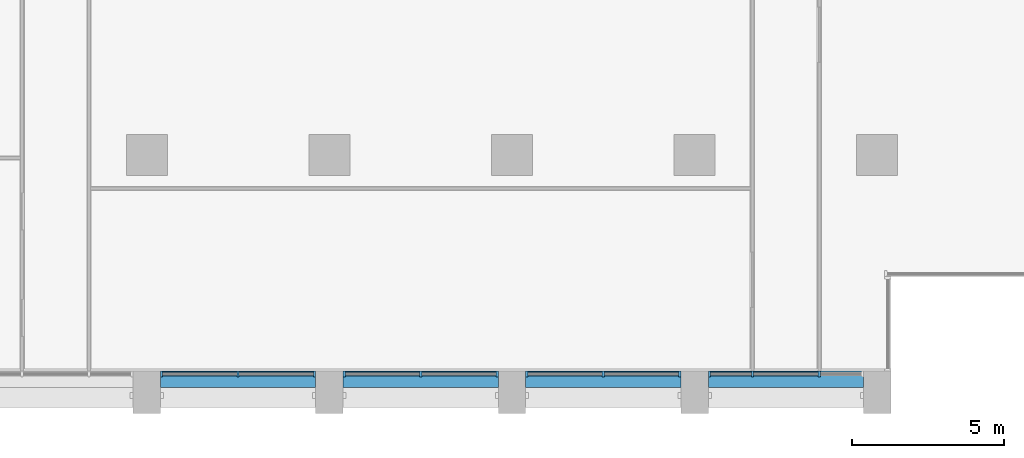
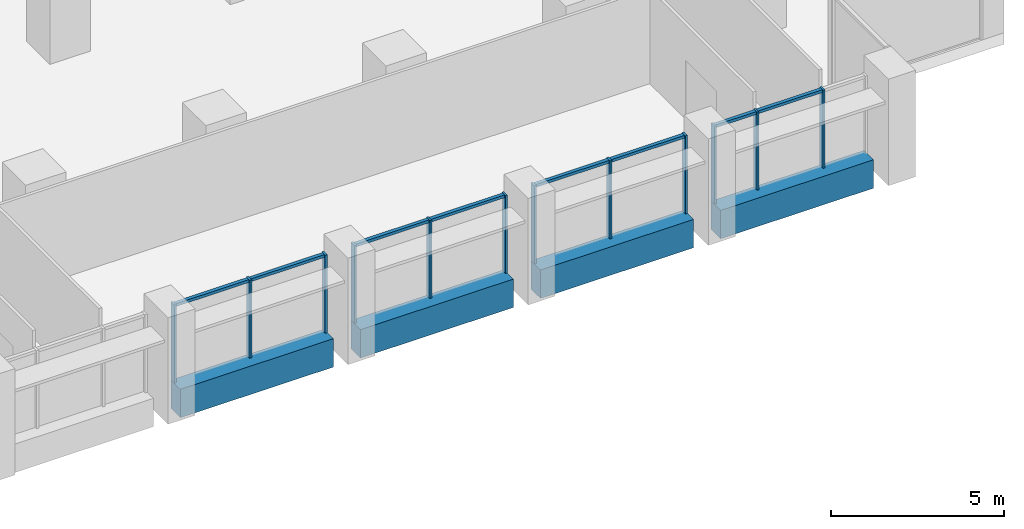
# One storey, part 3 of 15: 20 members, 4 beams, 4 elements without a shape of their own.
"""IFC4 building model written with IfcOpenShell, lengths in metres."""

from ifc_helpers import new_model, si_unit, direction, frame, origin, origin_2d, place, context, subcontext, project, spatial, rectangle, extrude, material, material_profile, profile_set, type_object, element, aggregate, save


model = new_model("IFC4")

# Units and contexts
model_context = context("Model", 3, precision=1e-05, world=origin(), true_north=direction((0.0, 1.0)))
body_context = subcontext(model_context, "Body", "Model", "MODEL_VIEW")
ifc_project = project(units=[si_unit("LENGTHUNIT", "METRE"), si_unit("AREAUNIT", "SQUARE_METRE"), si_unit("VOLUMEUNIT", "CUBIC_METRE"), si_unit("PLANEANGLEUNIT", "RADIAN"), si_unit("MASSUNIT", "GRAM", prefix="KILO")], contexts=[model_context])

# Site, building, storey
site_placement = place(None, origin())
site = spatial("IfcSite", under=ifc_project, at=site_placement, CompositionType="ELEMENT")
building_placement = place(site_placement, origin())
building = spatial("IfcBuilding", under=site, at=building_placement, Name="Calvaro Tower", CompositionType="ELEMENT")
storey_placement = place(building_placement, frame((0.0, 0.0, 113.75)))
storey = spatial("IfcBuildingStorey", under=building, at=storey_placement, Name="L28", CompositionType="ELEMENT", Elevation=113.75)

# Curtain wall, members
ifc_material_1 = material(Name="Anodised aluminium", Category="aluminium")
curtain_wall_type = type_object("IfcCurtainWallType", Name="Office curtain wall, middle zone", PredefinedType="NOTDEFINED", material=ifc_material_1)
curtain_wall_1_placement = place(storey_placement, origin())
curtain_wall_1 = element("IfcCurtainWall", 1, at=curtain_wall_1_placement, inside=storey, type_object=curtain_wall_type, Name="CW2 south curtain wall", PredefinedType="NOTDEFINED")
ifc_material_2 = material(Name="Anodised aluminium", Category="aluminium")
ifc_material_profile_1 = material_profile(ifc_material_2, rectangle(XDim=0.199951171875, YDim=0.070068359375, at=origin_2d()), Name="Mullion S2 70 x 200")
ifc_profile_set_1 = profile_set([ifc_material_profile_1], Name="Anodised aluminium")
member_type_1 = type_object("IfcMemberType", Name="Mullion S2 70 x 200", PredefinedType="MULLION", material=ifc_profile_set_1)
member_1_placement = place(storey_placement, frame((42.485107421875, 2.800048828125, 0.0), z_axis=(0.0, 0.0, 1.0), x_axis=(0.0, 1.0, 0.0)))
member_1 = element("IfcMember", 2, at=member_1_placement, type_object=member_type_1, Name="CW2 mullion 1", PredefinedType="MULLION", context=body_context, shape_type="SweptSolid", body=[
    extrude(rectangle(XDim=0.199951171875, YDim=0.070068359375, at=origin_2d()), origin(), (0.0, 0.0, 1.0), 2.75),
])
member_2_placement = place(storey_placement, frame((45.0, 2.800048828125, 0.0), z_axis=(0.0, 0.0, 1.0), x_axis=(0.0, 1.0, 0.0)))
member_2 = element("IfcMember", 3, at=member_2_placement, type_object=member_type_1, Name="CW2 mullion 2", PredefinedType="MULLION", context=body_context, shape_type="SweptSolid", body=[
    extrude(rectangle(XDim=0.199951171875, YDim=0.070068359375, at=origin_2d()), origin(), (0.0, 0.0, 1.0), 2.75),
])
member_3_placement = place(storey_placement, frame((47.514892578125, 2.800048828125, 0.0), z_axis=(0.0, 0.0, 1.0), x_axis=(0.0, 1.0, 0.0)))
member_3 = element("IfcMember", 4, at=member_3_placement, type_object=member_type_1, Name="CW2 mullion 3", PredefinedType="MULLION", context=body_context, shape_type="SweptSolid", body=[
    extrude(rectangle(XDim=0.199951171875, YDim=0.070068359375, at=origin_2d()), origin(), (0.0, 0.0, 1.0), 2.75),
])

curtain_wall_2_placement = place(storey_placement, origin())
curtain_wall_2 = element("IfcCurtainWall", 5, at=curtain_wall_2_placement, inside=storey, type_object=curtain_wall_type, Name="CW2 south curtain wall", PredefinedType="NOTDEFINED")
member_4_placement = place(storey_placement, frame((48.485107421875, 2.800048828125, 0.0), z_axis=(0.0, 0.0, 1.0), x_axis=(0.0, 1.0, 0.0)))
member_4 = element("IfcMember", 6, at=member_4_placement, type_object=member_type_1, Name="CW2 mullion 1", PredefinedType="MULLION", context=body_context, shape_type="SweptSolid", body=[
    extrude(rectangle(XDim=0.199951171875, YDim=0.070068359375, at=origin_2d()), origin(), (0.0, 0.0, 1.0), 2.75),
])
member_5_placement = place(storey_placement, frame((51.0, 2.800048828125, 0.0), z_axis=(0.0, 0.0, 1.0), x_axis=(0.0, 1.0, 0.0)))
member_5 = element("IfcMember", 7, at=member_5_placement, type_object=member_type_1, Name="CW2 mullion 2", PredefinedType="MULLION", context=body_context, shape_type="SweptSolid", body=[
    extrude(rectangle(XDim=0.199951171875, YDim=0.070068359375, at=origin_2d()), origin(), (0.0, 0.0, 1.0), 2.75),
])
member_6_placement = place(storey_placement, frame((53.514892578125, 2.800048828125, 0.0), z_axis=(0.0, 0.0, 1.0), x_axis=(0.0, 1.0, 0.0)))
member_6 = element("IfcMember", 8, at=member_6_placement, type_object=member_type_1, Name="CW2 mullion 3", PredefinedType="MULLION", context=body_context, shape_type="SweptSolid", body=[
    extrude(rectangle(XDim=0.199951171875, YDim=0.070068359375, at=origin_2d()), origin(), (0.0, 0.0, 1.0), 2.75),
])

curtain_wall_3_placement = place(storey_placement, origin())
curtain_wall_3 = element("IfcCurtainWall", 9, at=curtain_wall_3_placement, inside=storey, type_object=curtain_wall_type, Name="CW2 south curtain wall", PredefinedType="NOTDEFINED")
member_7_placement = place(storey_placement, frame((54.485107421875, 2.800048828125, 0.0), z_axis=(0.0, 0.0, 1.0), x_axis=(0.0, 1.0, 0.0)))
member_7 = element("IfcMember", 10, at=member_7_placement, type_object=member_type_1, Name="CW2 mullion 1", PredefinedType="MULLION", context=body_context, shape_type="SweptSolid", body=[
    extrude(rectangle(XDim=0.199951171875, YDim=0.070068359375, at=origin_2d()), origin(), (0.0, 0.0, 1.0), 2.75),
])
member_8_placement = place(storey_placement, frame((57.0, 2.800048828125, 0.0), z_axis=(0.0, 0.0, 1.0), x_axis=(0.0, 1.0, 0.0)))
member_8 = element("IfcMember", 11, at=member_8_placement, type_object=member_type_1, Name="CW2 mullion 2", PredefinedType="MULLION", context=body_context, shape_type="SweptSolid", body=[
    extrude(rectangle(XDim=0.199951171875, YDim=0.070068359375, at=origin_2d()), origin(), (0.0, 0.0, 1.0), 2.75),
])
member_9_placement = place(storey_placement, frame((59.514892578125, 2.800048828125, 0.0), z_axis=(0.0, 0.0, 1.0), x_axis=(0.0, 1.0, 0.0)))
member_9 = element("IfcMember", 12, at=member_9_placement, type_object=member_type_1, Name="CW2 mullion 3", PredefinedType="MULLION", context=body_context, shape_type="SweptSolid", body=[
    extrude(rectangle(XDim=0.199951171875, YDim=0.070068359375, at=origin_2d()), origin(), (0.0, 0.0, 1.0), 2.75),
])

curtain_wall_4_placement = place(storey_placement, origin())
curtain_wall_4 = element("IfcCurtainWall", 13, at=curtain_wall_4_placement, inside=storey, type_object=curtain_wall_type, Name="CW2 south curtain wall", PredefinedType="NOTDEFINED")
member_10_placement = place(storey_placement, frame((60.485107421875, 2.800048828125, 0.0), z_axis=(0.0, 0.0, 1.0), x_axis=(0.0, 1.0, 0.0)))
member_10 = element("IfcMember", 14, at=member_10_placement, type_object=member_type_1, Name="CW2 mullion 1", PredefinedType="MULLION", context=body_context, shape_type="SweptSolid", body=[
    extrude(rectangle(XDim=0.199951171875, YDim=0.070068359375, at=origin_2d()), origin(), (0.0, 0.0, 1.0), 2.75),
])
member_11_placement = place(storey_placement, frame((61.89990234375, 2.800048828125, 0.0), z_axis=(0.0, 0.0, 1.0), x_axis=(0.0, 1.0, 0.0)))
member_11 = element("IfcMember", 15, at=member_11_placement, type_object=member_type_1, Name="CW2 mullion 2", PredefinedType="MULLION", context=body_context, shape_type="SweptSolid", body=[
    extrude(rectangle(XDim=0.199951171875, YDim=0.070068359375, at=origin_2d()), origin(), (0.0, 0.0, 1.0), 2.75),
])
member_12_placement = place(storey_placement, frame((64.10009765625, 2.800048828125, 0.0), z_axis=(0.0, 0.0, 1.0), x_axis=(0.0, 1.0, 0.0)))
member_12 = element("IfcMember", 16, at=member_12_placement, type_object=member_type_1, Name="CW2 mullion 3", PredefinedType="MULLION", context=body_context, shape_type="SweptSolid", body=[
    extrude(rectangle(XDim=0.199951171875, YDim=0.070068359375, at=origin_2d()), origin(), (0.0, 0.0, 1.0), 2.75),
])

# Beams
ifc_material_3 = material(Name="Concrete C50/60 precast", Category="concrete")
ifc_material_profile_2 = material_profile(ifc_material_3, rectangle(XDim=0.550048828125, YDim=1.0, at=origin_2d()), Name="RC 550x1000")
ifc_profile_set_2 = profile_set([ifc_material_profile_2], Name="Concrete C50/60 precast")
beam_type = type_object("IfcBeamType", Name="Spandrel beam 550x1000 C50/60", PredefinedType="SPANDREL", material=ifc_profile_set_2)
for number, where, z_axis, x_axis, name in (
    (17, (42.449951171875, 2.625, -0.5), (1.0, 0.0, 0.0), (0.0, 1.0, 0.0), "Spandrel beam"),
    (18, (48.449951171875, 2.625, -0.5), (1.0, 0.0, 0.0), (0.0, 1.0, 0.0), "Spandrel beam"),
    (19, (54.449951171875, 2.625, -0.5), (1.0, 0.0, 0.0), (0.0, 1.0, 0.0), "Spandrel beam"),
    (20, (60.449951171875, 2.625, -0.5), (1.0, 0.0, 0.0), (0.0, 1.0, 0.0), "Spandrel beam"),
):
    element("IfcBeam", number, at=place(storey_placement, frame(where, z_axis=z_axis, x_axis=x_axis)), inside=storey, type_object=beam_type, Name=name, PredefinedType="SPANDREL", context=body_context, shape_type="SweptSolid", body=[
        extrude(rectangle(XDim=0.550048828125, YDim=1.0, at=origin_2d()), origin(), (0.0, 0.0, 1.0), 5.10009765625),
    ])

# Member
ifc_material_4 = material(Name="Anodised aluminium", Category="aluminium")
ifc_material_profile_3 = material_profile(ifc_material_4, rectangle(XDim=0.1201171875, YDim=0.10009765625, at=origin_2d()), Name="Transom S2 100 x 120")
ifc_profile_set_3 = profile_set([ifc_material_profile_3], Name="Anodised aluminium")
member_type_2 = type_object("IfcMemberType", Name="Transom S2 100 x 120", PredefinedType="USERDEFINED", material=ifc_profile_set_3)
member_13_placement = place(storey_placement, frame((42.52001953125, 2.800048828125, 2.699951171875), z_axis=(1.0, 0.0, 0.0), x_axis=(0.0, 1.0, 0.0)))
member_13 = element("IfcMember", 21, at=member_13_placement, type_object=member_type_2, Name="CW2 transom 1.1", ObjectType="TRANSOM", PredefinedType="USERDEFINED", context=body_context, shape_type="SweptSolid", body=[
    extrude(rectangle(XDim=0.1201171875, YDim=0.10009765625, at=origin_2d()), origin(), (0.0, 0.0, 1.0), 2.445068359375),
])

member_14_placement = place(storey_placement, frame((45.034912109375, 2.800048828125, 2.699951171875), z_axis=(1.0, 0.0, 0.0), x_axis=(0.0, 1.0, 0.0)))
member_14 = element("IfcMember", 22, at=member_14_placement, type_object=member_type_2, Name="CW2 transom 2.1", ObjectType="TRANSOM", PredefinedType="USERDEFINED", context=body_context, shape_type="SweptSolid", body=[
    extrude(rectangle(XDim=0.1201171875, YDim=0.10009765625, at=origin_2d()), origin(), (0.0, 0.0, 1.0), 2.445068359375),
])

aggregate(curtain_wall_1, [member_1, member_2, member_3, member_13, member_14])

member_15_placement = place(storey_placement, frame((48.52001953125, 2.800048828125, 2.699951171875), z_axis=(1.0, 0.0, 0.0), x_axis=(0.0, 1.0, 0.0)))
member_15 = element("IfcMember", 23, at=member_15_placement, type_object=member_type_2, Name="CW2 transom 1.1", ObjectType="TRANSOM", PredefinedType="USERDEFINED", context=body_context, shape_type="SweptSolid", body=[
    extrude(rectangle(XDim=0.1201171875, YDim=0.10009765625, at=origin_2d()), origin(), (0.0, 0.0, 1.0), 2.445068359375),
])

member_16_placement = place(storey_placement, frame((51.034912109375, 2.800048828125, 2.699951171875), z_axis=(1.0, 0.0, 0.0), x_axis=(0.0, 1.0, 0.0)))
member_16 = element("IfcMember", 24, at=member_16_placement, type_object=member_type_2, Name="CW2 transom 2.1", ObjectType="TRANSOM", PredefinedType="USERDEFINED", context=body_context, shape_type="SweptSolid", body=[
    extrude(rectangle(XDim=0.1201171875, YDim=0.10009765625, at=origin_2d()), origin(), (0.0, 0.0, 1.0), 2.445068359375),
])

aggregate(curtain_wall_2, [member_4, member_5, member_6, member_15, member_16])

member_17_placement = place(storey_placement, frame((54.52001953125, 2.800048828125, 2.699951171875), z_axis=(1.0, 0.0, 0.0), x_axis=(0.0, 1.0, 0.0)))
member_17 = element("IfcMember", 25, at=member_17_placement, type_object=member_type_2, Name="CW2 transom 1.1", ObjectType="TRANSOM", PredefinedType="USERDEFINED", context=body_context, shape_type="SweptSolid", body=[
    extrude(rectangle(XDim=0.1201171875, YDim=0.10009765625, at=origin_2d()), origin(), (0.0, 0.0, 1.0), 2.445068359375),
])

member_18_placement = place(storey_placement, frame((57.034912109375, 2.800048828125, 2.699951171875), z_axis=(1.0, 0.0, 0.0), x_axis=(0.0, 1.0, 0.0)))
member_18 = element("IfcMember", 26, at=member_18_placement, type_object=member_type_2, Name="CW2 transom 2.1", ObjectType="TRANSOM", PredefinedType="USERDEFINED", context=body_context, shape_type="SweptSolid", body=[
    extrude(rectangle(XDim=0.1201171875, YDim=0.10009765625, at=origin_2d()), origin(), (0.0, 0.0, 1.0), 2.445068359375),
])

aggregate(curtain_wall_3, [member_7, member_8, member_9, member_17, member_18])

member_19_placement = place(storey_placement, frame((60.52001953125, 2.800048828125, 2.699951171875), z_axis=(1.0, 0.0, 0.0), x_axis=(0.0, 1.0, 0.0)))
member_19 = element("IfcMember", 27, at=member_19_placement, type_object=member_type_2, Name="CW2 transom 1.1", ObjectType="TRANSOM", PredefinedType="USERDEFINED", context=body_context, shape_type="SweptSolid", body=[
    extrude(rectangle(XDim=0.1201171875, YDim=0.10009765625, at=origin_2d()), origin(), (0.0, 0.0, 1.0), 1.344970703125),
])

member_20_placement = place(storey_placement, frame((61.93505859375, 2.800048828125, 2.699951171875), z_axis=(1.0, 0.0, 0.0), x_axis=(0.0, 1.0, 0.0)))
member_20 = element("IfcMember", 28, at=member_20_placement, type_object=member_type_2, Name="CW2 transom 2.1", ObjectType="TRANSOM", PredefinedType="USERDEFINED", context=body_context, shape_type="SweptSolid", body=[
    extrude(rectangle(XDim=0.1201171875, YDim=0.10009765625, at=origin_2d()), origin(), (0.0, 0.0, 1.0), 2.1298828125),
])

aggregate(curtain_wall_4, [member_10, member_11, member_12, member_19, member_20])

save(model, "model.ifc")
